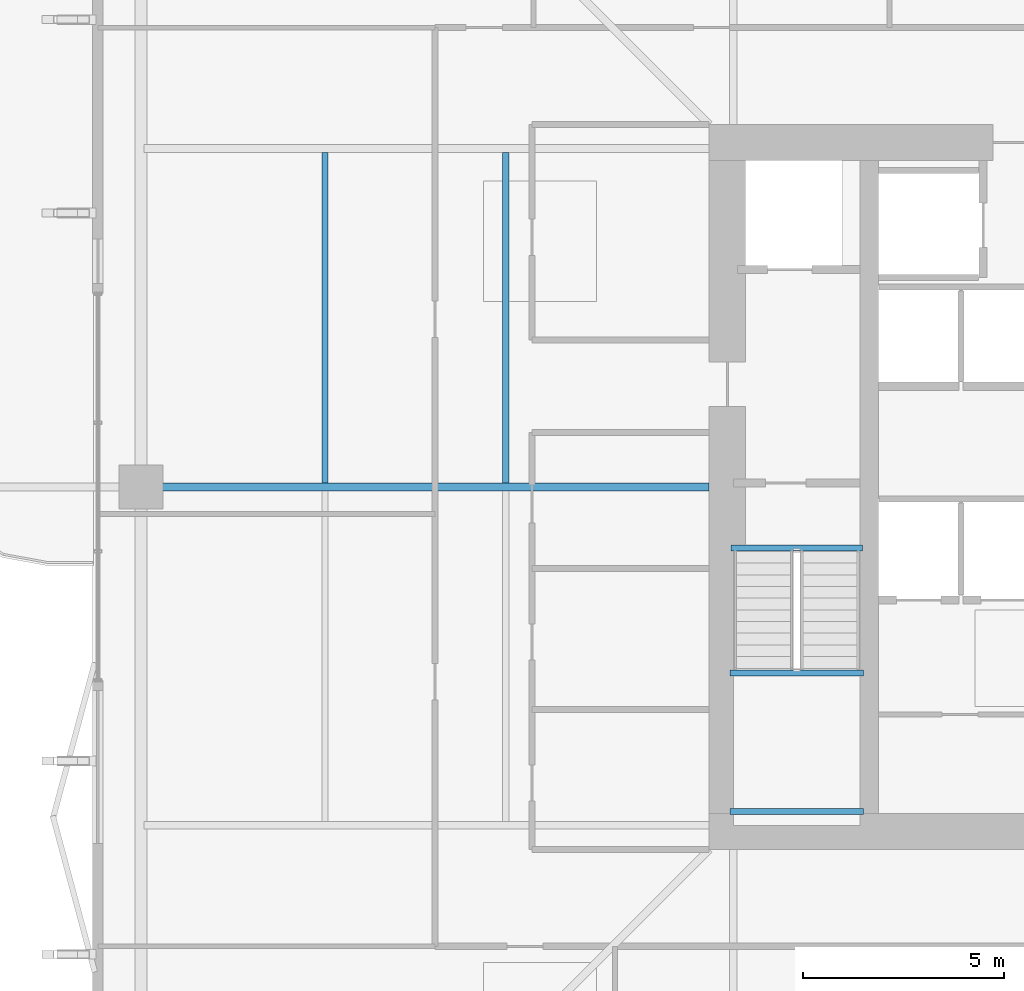
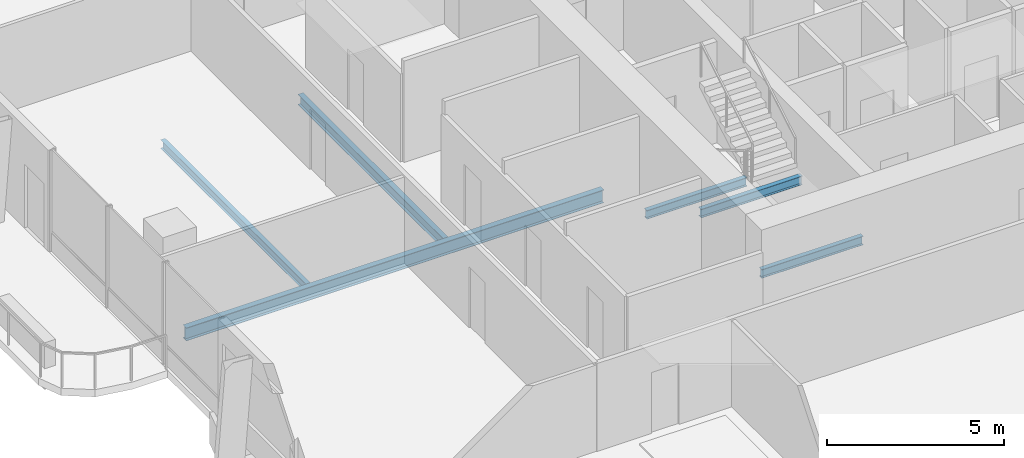
# One storey, part 7 of 25: 6 beams.
"""IFC4 building model written with IfcOpenShell, lengths in metres."""

from ifc_helpers import new_model, si_unit, direction, frame, origin, origin_2d, place, context, subcontext, project, spatial, i_section, extrude, material, material_profile, profile_set, type_object, element, save


model = new_model("IFC4")

# Units and contexts
model_context = context("Model", 3, precision=1e-05, world=origin(), true_north=direction((0.0, 1.0)))
body_context = subcontext(model_context, "Body", "Model", "MODEL_VIEW")
ifc_project = project(units=[si_unit("LENGTHUNIT", "METRE"), si_unit("AREAUNIT", "SQUARE_METRE"), si_unit("VOLUMEUNIT", "CUBIC_METRE"), si_unit("PLANEANGLEUNIT", "RADIAN"), si_unit("MASSUNIT", "GRAM", prefix="KILO")], contexts=[model_context])

# Site, building, storey
site_placement = place(None, origin())
site = spatial("IfcSite", under=ifc_project, at=site_placement, CompositionType="ELEMENT")
building_placement = place(site_placement, origin())
building = spatial("IfcBuilding", under=site, at=building_placement, Name="Belovzor Exchange Tower", CompositionType="ELEMENT")
storey_placement = place(building_placement, frame((0.0, 0.0, 183.300048828125)))
storey = spatial("IfcBuildingStorey", under=building, at=storey_placement, Name="L45", CompositionType="ELEMENT", Elevation=183.300048828125)

# Beams
ifc_material_1 = material(Name="Steel S355", Category="steel")
ifc_material_profile_1 = material_profile(ifc_material_1, i_section(OverallWidth=0.169921875, OverallDepth=0.360107421875, WebThickness=0.008056640625, FlangeThickness=0.0126953125, at=origin_2d()))
ifc_profile_set_1 = profile_set([ifc_material_profile_1], Name="Steel S355")
beam_type_1 = type_object("IfcBeamType", Name="Secondary Infill Floor Joist IPE 360", PredefinedType="BEAM", material=ifc_profile_set_1)
beam_1_placement = place(storey_placement, frame((14.7509765625, 28.89501953125, -0.43505859375), z_axis=(0.0, 1.0, 0.0), x_axis=(-1.0, 0.0, 0.0)))
element("IfcBeam", 1, at=beam_1_placement, inside=storey, type_object=beam_type_1, Name="FJ-360 Secondary Infill Floor Joist IPE 360", PredefinedType="BEAM", context=body_context, shape_type="SweptSolid", body=[
    extrude(i_section(OverallWidth=0.169921875, OverallDepth=0.360107421875, WebThickness=0.008056640625, FlangeThickness=0.0126953125, at=origin_2d()), origin(), (0.0, 0.0, 1.0), 8.2099609375),
])
ifc_material_2 = material(Name="Steel S355", Category="steel")
ifc_material_profile_2 = material_profile(ifc_material_2, i_section(OverallWidth=0.14990234375, OverallDepth=0.300048828125, WebThickness=0.007080078125, FlangeThickness=0.0107421875, at=origin_2d()))
ifc_profile_set_2 = profile_set([ifc_material_profile_2], Name="Steel S355")
beam_type_2 = type_object("IfcBeamType", Name="Secondary Trim Floor Joist IPE 300", PredefinedType="BEAM", material=ifc_profile_set_2)
for number, where, z_axis, x_axis, name in (
    (2, (20.320068359375, 24.179931640625, 1.52490234375), (1.0, 0.0, 0.0), (0.0, 1.0, 0.0), "FJ-300 Secondary Trim Floor Joist IPE 300"),
    (3, (20.320068359375, 20.75, 1.52490234375), (1.0, 0.0, 0.0), (0.0, 1.0, 0.0), "FJ-300 Secondary Trim Floor Joist IPE 300"),
):
    element("IfcBeam", number, at=place(storey_placement, frame(where, z_axis=z_axis, x_axis=x_axis)), inside=storey, type_object=beam_type_2, Name=name, PredefinedType="BEAM", context=body_context, shape_type="SweptSolid", body=[
        extrude(i_section(OverallWidth=0.14990234375, OverallDepth=0.300048828125, WebThickness=0.007080078125, FlangeThickness=0.0107421875, at=origin_2d()), origin(), (0.0, 0.0, 1.0), 3.309814453125),
    ])
beam_2_placement = place(storey_placement, frame((20.340087890625, 27.280029296875, -0.405029296875), z_axis=(1.0, 0.0, 0.0), x_axis=(0.0, 1.0, 0.0)))
element("IfcBeam", 4, at=beam_2_placement, inside=storey, type_object=beam_type_2, Name="FJ-300 Secondary Trim Floor Joist IPE 300", PredefinedType="BEAM", context=body_context, shape_type="SweptSolid", body=[
    extrude(i_section(OverallWidth=0.14990234375, OverallDepth=0.300048828125, WebThickness=0.007080078125, FlangeThickness=0.0107421875, at=origin_2d()), origin(), (0.0, 0.0, 1.0), 3.27001953125),
])
beam_3_placement = place(storey_placement, frame((10.262939453125, 28.89501953125, -0.405029296875), z_axis=(0.0, 1.0, 0.0), x_axis=(-1.0, 0.0, 0.0)))
element("IfcBeam", 5, at=beam_3_placement, inside=storey, type_object=beam_type_2, Name="FJ-300 Secondary Trim Floor Joist IPE 300", PredefinedType="BEAM", context=body_context, shape_type="SweptSolid", body=[
    extrude(i_section(OverallWidth=0.14990234375, OverallDepth=0.300048828125, WebThickness=0.007080078125, FlangeThickness=0.0107421875, at=origin_2d()), origin(), (0.0, 0.0, 1.0), 8.2099609375),
])
ifc_material_3 = material(Name="Steel S355", Category="steel")
ifc_material_profile_3 = material_profile(ifc_material_3, i_section(OverallWidth=0.18994140625, OverallDepth=0.449951171875, WebThickness=0.009521484375, FlangeThickness=0.0146484375, at=origin_2d()))
ifc_profile_set_3 = profile_set([ifc_material_profile_3], Name="Steel S355")
beam_type_3 = type_object("IfcBeamType", Name="Zone 2-4 Radial Composite Floor Beam IPE 450", PredefinedType="BEAM", material=ifc_profile_set_3)
beam_4_placement = place(storey_placement, frame((19.800048828125, 28.800048828125, -0.47998046875), z_axis=(-1.0, 0.0, 0.0), x_axis=(0.0, -1.0, 0.0)))
element("IfcBeam", 6, at=beam_4_placement, inside=storey, type_object=beam_type_3, Name="FB-450 Zone 2-4 Radial Composite Floor Beam IPE 450", PredefinedType="BEAM", context=body_context, shape_type="SweptSolid", body=[
    extrude(i_section(OverallWidth=0.18994140625, OverallDepth=0.449951171875, WebThickness=0.009521484375, FlangeThickness=0.0146484375, at=origin_2d()), origin(), (0.0, 0.0, 1.0), 13.615966796875),
])

save(model, "model.ifc")
